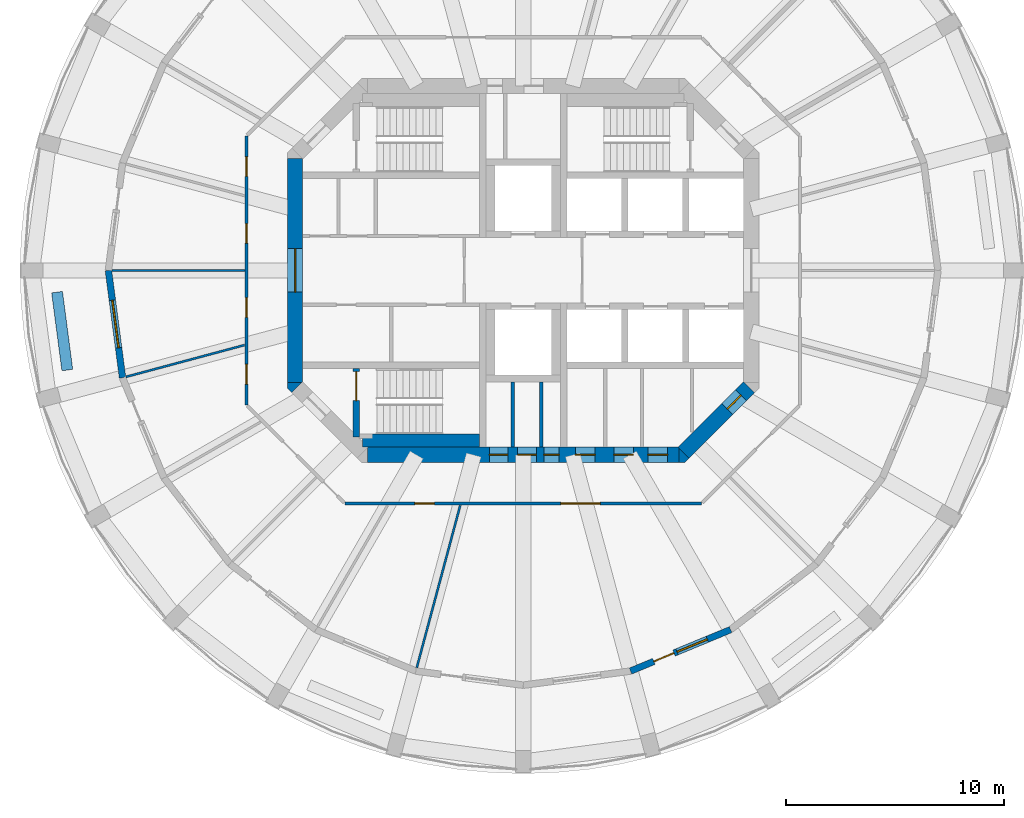
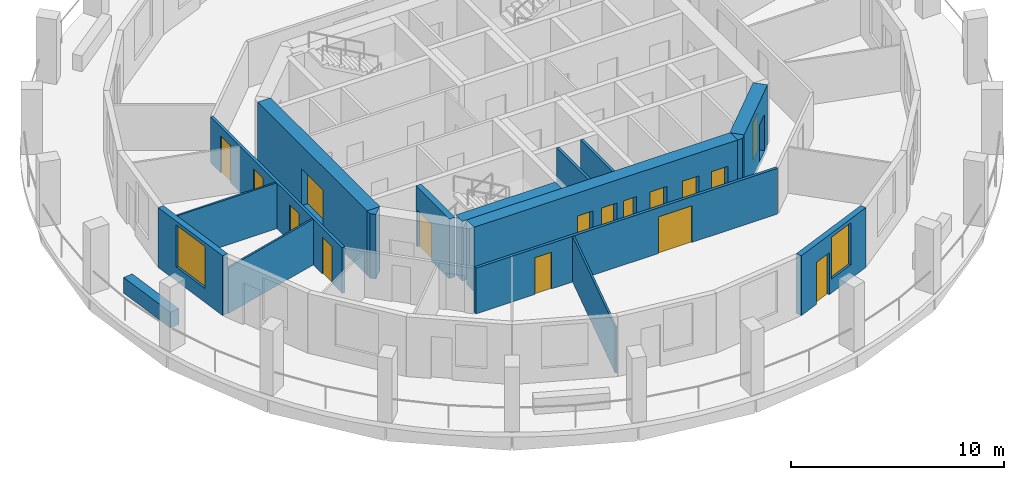
# One storey, part 3 of 9: 17 walls, 16 doors, 2 windows, 18 openings.
"""IFC4 building model written with IfcOpenShell, lengths in metres."""

import ifcopenshell
import ifcopenshell.guid

model = None  # the IFC model being written
_history = None  # IfcOwnerHistory: only IFC2X3 demands one
_inside = {}  # id of a spatial element -> (the spatial element, [elements in it])
_under = {}  # id of a project, library or spatial element -> (it, [spatial elements below it])
_declared = {}  # id of a project -> (the project, [libraries it declares])
_typed = {}  # id of a type object -> (the type object, [elements of that type])
_made_of = {}  # id of a material, layer set ... -> (it, [elements and type objects made of it])


def new_model(schema):
    """Start an empty IFC model of exactly this schema.

    Asked for "IFC4X3", IfcOpenShell would pick the latest addendum, in which some entities
    have other attributes; the version numbers below select the first issue.
    IFC2X3 requires an IfcOwnerHistory on every rooted entity: one is made here for all.
    """
    global model, _history
    if schema == "IFC4X3":
        model = ifcopenshell.file(schema_version=(4, 3, 0, 0))
    else:
        model = ifcopenshell.file(schema=schema)
    _inside.clear()
    _under.clear()
    _declared.clear()
    _typed.clear()
    _made_of.clear()
    _history = None
    if model.schema == "IFC2X3":
        org = make("IfcOrganization", Name="unknown")
        user = make(
            "IfcPersonAndOrganization",
            ThePerson=make("IfcPerson", FamilyName="unknown"),
            TheOrganization=org,
        )
        app = make(
            "IfcApplication",
            ApplicationDeveloper=org,
            Version="unknown",
            ApplicationFullName="unknown",
            ApplicationIdentifier="unknown",
        )
        _history = make(
            "IfcOwnerHistory",
            OwningUser=user,
            OwningApplication=app,
            ChangeAction="ADDED",
            CreationDate=0,
        )
    return model


def make(cls, **values):
    """One entity of the class cls with the attributes given. An attribute that is None is left unset."""
    return model.create_entity(
        cls, **{name: value for name, value in values.items() if value is not None}
    )


def rooted(cls, **values):
    """An entity with a GlobalId (a new one), such as an element, a storey or a relation."""
    return make(cls, GlobalId=ifcopenshell.guid.new(), OwnerHistory=_history, **values)


def si_unit(unit_type, name, prefix=None):
    """IfcSIUnit, for example si_unit("LENGTHUNIT", "METRE", prefix="MILLI")."""
    return make("IfcSIUnit", UnitType=unit_type, Prefix=prefix, Name=name)


def assignment(units):
    """IfcUnitAssignment: the units of a project."""
    return None if units is None else make("IfcUnitAssignment", Units=units)


def point(xyz):
    """IfcCartesianPoint."""
    return None if xyz is None else make("IfcCartesianPoint", Coordinates=xyz)


def direction(xyz):
    """IfcDirection."""
    return None if xyz is None else make("IfcDirection", DirectionRatios=xyz)


def frame(location, z_axis=None, x_axis=None):
    """IfcAxis2Placement3D, a coordinate frame: its origin and axes. An axis left out is left unset."""
    return make(
        "IfcAxis2Placement3D",
        Location=point(location),
        Axis=direction(z_axis),
        RefDirection=direction(x_axis),
    )


def frame_2d(location, x_axis=None):
    """IfcAxis2Placement2D, a coordinate frame in the plane: its origin and x axis."""
    return make(
        "IfcAxis2Placement2D", Location=point(location), RefDirection=direction(x_axis)
    )


def origin():
    """The frame at (0, 0, 0) with its axes left unset."""
    return frame((0.0, 0.0, 0.0))


def place(relative_to, where):
    """IfcLocalPlacement: puts the frame where relative to a parent placement (None: the world)."""
    return make(
        "IfcLocalPlacement", PlacementRelTo=relative_to, RelativePlacement=where
    )


def context(
    kind, dimensions, precision=None, world=None, true_north=None, identifier=None
):
    """IfcGeometricRepresentationContext, for example the 3D "Model" context."""
    return make(
        "IfcGeometricRepresentationContext",
        ContextIdentifier=identifier,
        ContextType=kind,
        CoordinateSpaceDimension=dimensions,
        Precision=precision,
        WorldCoordinateSystem=world,
        TrueNorth=true_north,
    )


def subcontext(parent, identifier, kind, view, scale=None):
    """IfcGeometricRepresentationSubContext, for example "Body" below "Model"."""
    return make(
        "IfcGeometricRepresentationSubContext",
        ContextIdentifier=identifier,
        ContextType=kind,
        ParentContext=parent,
        TargetScale=scale,
        TargetView=view,
    )


def project(units=None, contexts=None):
    """IfcProject with its units and contexts."""
    return rooted(
        "IfcProject",
        Name="project",
        RepresentationContexts=contexts,
        UnitsInContext=assignment(units),
    )


def spatial(cls, under=None, at=None, **own):
    """A site, building, storey or space (cls), placed at a placement, below another one or the project."""
    s = rooted(cls, ObjectPlacement=at, **own)
    if under is not None:
        _under.setdefault(under.id(), (under, []))[1].append(s)
    return s


def polyline(points):
    """IfcPolyline through the points."""
    return make("IfcPolyline", Points=[point(p) for p in points])


def profile(cls, at=None, kind="AREA", **sizes):
    """A parametric profile (cls). Its sizes go by their IFC names, for example OverallWidth=200.0."""
    return make(cls, ProfileType=kind, Position=at, **sizes)


def rectangle(**sizes):
    """IfcRectangleProfileDef."""
    return profile("IfcRectangleProfileDef", **sizes)


def outline(outer, holes=None, kind="AREA"):
    """IfcArbitraryClosedProfileDef: a profile drawn as a closed curve; with holes, ...WithVoids."""
    if holes is None:
        return make("IfcArbitraryClosedProfileDef", ProfileType=kind, OuterCurve=outer)
    return make(
        "IfcArbitraryProfileDefWithVoids",
        ProfileType=kind,
        OuterCurve=outer,
        InnerCurves=holes,
    )


def extrude(swept, where, along, depth):
    """IfcExtrudedAreaSolid: the profile swept, set in the frame where, extruded along a direction by depth."""
    return make(
        "IfcExtrudedAreaSolid",
        SweptArea=swept,
        Position=where,
        ExtrudedDirection=direction(along),
        Depth=depth,
    )


def shape(context_of_items, identifier, shape_type, items):
    """IfcShapeRepresentation: the items that make up one representation, for example the "Body"."""
    return make(
        "IfcShapeRepresentation",
        ContextOfItems=context_of_items,
        RepresentationIdentifier=identifier,
        RepresentationType=shape_type,
        Items=items,
    )


def material(Name=None, Category=None):
    """IfcMaterial."""
    return make("IfcMaterial", Name=Name, Category=Category)


def layer(
    of_material, thickness, ventilated=None, Name=None, Category=None, Priority=None
):
    """IfcMaterialLayer: one layer of a wall or slab, of a material (None: an air gap)."""
    return make(
        "IfcMaterialLayer",
        Material=of_material,
        LayerThickness=thickness,
        IsVentilated=ventilated,
        Name=Name,
        Category=Category,
        Priority=Priority,
    )


def layer_set(layers, Name=None):
    """IfcMaterialLayerSet."""
    return make("IfcMaterialLayerSet", MaterialLayers=layers, LayerSetName=Name)


def made_of(thing, what):
    """Note that an element or type object is made of a material, layer set ...; save() writes the relation."""
    if what is not None:
        _made_of.setdefault(what.id(), (what, []))[1].append(thing)
    return thing


def type_object(cls, material=None, **own):
    """A type object (cls), such as IfcWallType, which elements share."""
    return made_of(rooted(cls, **own), material)


def element(
    cls,
    number,
    at=None,
    inside=None,
    cuts=None,
    type_object=None,
    material=None,
    context=None,
    identifier="Body",
    shape_type=None,
    held_by="IfcProductDefinitionShape",
    body=None,
    shapes=None,
    **own,
):
    """One element of the class cls, such as IfcWall. Its Tag is "e" and its number.

    at: its placement. inside: the storey or other place that contains it. cuts: it is an
    opening in that element (IfcRelVoidsElement). A single representation is given by context,
    identifier, shape_type and body (its items); several are given by shapes. held_by: the class
    of the entity that holds the representations. save() writes the other relations.
    """
    e = rooted(cls, Tag="e%d" % number, ObjectPlacement=at, **own)
    if body is not None:
        shapes = [shape(context, identifier, shape_type, body)]
    if shapes is not None:
        e.Representation = make(held_by, Representations=shapes)
    if inside is not None:
        _inside.setdefault(inside.id(), (inside, []))[1].append(e)
    if cuts is not None:
        rooted(
            "IfcRelVoidsElement", RelatingBuildingElement=cuts, RelatedOpeningElement=e
        )
    if type_object is not None:
        _typed.setdefault(type_object.id(), (type_object, []))[1].append(e)
    return made_of(e, material)


def fill(opening, filler):
    """IfcRelFillsElement: the door or window that sits in an opening."""
    return rooted(
        "IfcRelFillsElement",
        RelatingOpeningElement=opening,
        RelatedBuildingElement=filler,
    )


def aggregate(whole, parts):
    """IfcRelAggregates: a whole, such as a stair, and the parts it consists of."""
    return rooted("IfcRelAggregates", RelatingObject=whole, RelatedObjects=parts)


def save(model, path):
    """Write the relations noted so far, then the file.

    IfcRelAggregates (storeys below a building ...), IfcRelContainedInSpatialStructure (elements
    in a storey), IfcRelDefinesByType, IfcRelAssociatesMaterial and IfcRelDeclares: one each for
    every whole, place, type object, material and project.
    """
    for whole, parts in _under.values():
        aggregate(whole, parts)
    for where, things in _inside.values():
        rooted(
            "IfcRelContainedInSpatialStructure",
            RelatedElements=things,
            RelatingStructure=where,
        )
    for kind, things in _typed.values():
        rooted("IfcRelDefinesByType", RelatedObjects=things, RelatingType=kind)
    for what, things in _made_of.values():
        rooted("IfcRelAssociatesMaterial", RelatedObjects=things, RelatingMaterial=what)
    for by, libraries in _declared.values():
        rooted("IfcRelDeclares", RelatingContext=by, RelatedDefinitions=libraries)
    model.write(path)


model = new_model("IFC4")

# Units and contexts
model_context = context("Model", 3, precision=1e-05, world=origin(), true_north=direction((0.0, 1.0)))
body_context = subcontext(model_context, "Body", "Model", "MODEL_VIEW")
ifc_project = project(units=[si_unit("LENGTHUNIT", "METRE"), si_unit("AREAUNIT", "SQUARE_METRE"), si_unit("VOLUMEUNIT", "CUBIC_METRE"), si_unit("PLANEANGLEUNIT", "RADIAN"), si_unit("MASSUNIT", "GRAM", prefix="KILO")], contexts=[model_context])

# Site, building, storey
site_placement = place(None, origin())
site = spatial("IfcSite", under=ifc_project, at=site_placement, CompositionType="ELEMENT")
building_placement = place(site_placement, origin())
building = spatial("IfcBuilding", under=site, at=building_placement, Name="Torre Triforio", CompositionType="ELEMENT")
storey_placement = place(building_placement, frame((0.0, 0.0, 169.0)))
storey = spatial("IfcBuildingStorey", under=building, at=storey_placement, Name="L38", CompositionType="ELEMENT", Elevation=169.0)

# Wall, openings, doors
ifc_material_1 = material(Name="Concrete C50", Category="concrete")
ifc_layer_1 = layer(ifc_material_1, 0.699951171875)
ifc_layer_set_1 = layer_set([ifc_layer_1], Name="Concrete C50")
wall_type_1 = type_object("IfcWallType", Name="Core wall 700 mm C50 EI 120", PredefinedType="SHEAR", material=ifc_layer_set_1)
wall_1_placement = place(storey_placement, frame((-7.1298828125, -8.449951171875, -0.280029296875), z_axis=(0.0, 0.0, 1.0), x_axis=(1.0, 0.0, 0.0)))
wall_1 = element("IfcWall", 1, at=wall_1_placement, inside=storey, type_object=wall_type_1, Name="Core wall", PredefinedType="SHEAR", context=body_context, shape_type="SweptSolid", body=[
    extrude(rectangle(XDim=14.259765625, YDim=0.699951171875, at=frame_2d((7.1298828125, 0.0))), origin(), (0.0, 0.0, 1.0), 3.699951171875),
])
opening_1_placement = place(wall_1_placement, frame((8.080078125, 0.0, 0.280029296875)))
opening_1 = element("IfcOpeningElement", 2, at=opening_1_placement, cuts=wall_1, Name="Opening RISER-S", PredefinedType="OPENING", context=body_context, shape_type="SweptSolid", body=[
    extrude(rectangle(XDim=0.699951171875, YDim=2.10009765625, at=frame_2d((0.35009765625, 1.050048828125))), frame((0.0, 0.35986328125, 0.0), z_axis=(0.0, -1.0, 0.0), x_axis=(1.0, 0.0, 0.0)), (0.0, 0.0, 1.0), 0.719970703125),
])
opening_2_placement = place(wall_1_placement, frame((5.580078125, 0.0, 0.280029296875)))
opening_2 = element("IfcOpeningElement", 3, at=opening_2_placement, cuts=wall_1, Name="Opening SW-01A", PredefinedType="OPENING", context=body_context, shape_type="SweptSolid", body=[
    extrude(rectangle(XDim=0.85009765625, YDim=2.10009765625, at=frame_2d((0.425048828125, 1.050048828125))), frame((0.0, 0.35986328125, 0.0), z_axis=(0.0, -1.0, 0.0), x_axis=(1.0, 0.0, 0.0)), (0.0, 0.0, 1.0), 0.719970703125),
])
opening_3_placement = place(wall_1_placement, frame((6.8798828125, 0.0, 0.280029296875)))
opening_3 = element("IfcOpeningElement", 4, at=opening_3_placement, cuts=wall_1, Name="Opening SW-02", PredefinedType="OPENING", context=body_context, shape_type="SweptSolid", body=[
    extrude(rectangle(XDim=0.85009765625, YDim=2.10009765625, at=frame_2d((0.425048828125, 1.050048828125))), frame((0.0, 0.35986328125, 0.0), z_axis=(0.0, -1.0, 0.0), x_axis=(1.0, 0.0, 0.0)), (0.0, 0.0, 1.0), 0.719970703125),
])
opening_4_placement = place(wall_1_placement, frame((9.521484375, 0.0, 0.280029296875)))
opening_4 = element("IfcOpeningElement", 5, at=opening_4_placement, cuts=wall_1, Name="Opening SE-01", PredefinedType="OPENING", context=body_context, shape_type="SweptSolid", body=[
    extrude(rectangle(XDim=0.89990234375, YDim=2.10009765625, at=frame_2d((0.449951171875, 1.050048828125))), frame((0.0, 0.35986328125, 0.0), z_axis=(0.0, -1.0, 0.0), x_axis=(1.0, 0.0, 0.0)), (0.0, 0.0, 1.0), 0.719970703125),
])
opening_5_placement = place(wall_1_placement, frame((11.278076171875, 0.0, 0.280029296875)))
opening_5 = element("IfcOpeningElement", 6, at=opening_5_placement, cuts=wall_1, Name="Opening SE-02", PredefinedType="OPENING", context=body_context, shape_type="SweptSolid", body=[
    extrude(rectangle(XDim=0.89990234375, YDim=2.10009765625, at=frame_2d((0.449951171875, 1.050048828125))), frame((0.0, 0.35986328125, 0.0), z_axis=(0.0, -1.0, 0.0), x_axis=(1.0, 0.0, 0.0)), (0.0, 0.0, 1.0), 0.719970703125),
])
opening_6_placement = place(wall_1_placement, frame((12.840087890625, 0.0, 0.280029296875)))
opening_6 = element("IfcOpeningElement", 7, at=opening_6_placement, cuts=wall_1, Name="Opening SE-03", PredefinedType="OPENING", context=body_context, shape_type="SweptSolid", body=[
    extrude(rectangle(XDim=0.89990234375, YDim=2.10009765625, at=frame_2d((0.449951171875, 1.050048828125))), frame((0.0, 0.35986328125, 0.0), z_axis=(0.0, -1.0, 0.0), x_axis=(1.0, 0.0, 0.0)), (0.0, 0.0, 1.0), 0.719970703125),
])
ifc_material_2 = material(Name="Hollow metal fire door leaf")
door_type_1 = type_object("IfcDoorType", Name="Plant room door 900 x 2100 EI 60", OperationType="NOTDEFINED", PredefinedType="DOOR", material=ifc_material_2)
door_1_placement = place(opening_4_placement, origin())
door_1 = element("IfcDoor", 8, at=door_1_placement, inside=storey, type_object=door_type_1, Name="Core door SE-01", OperationType="SINGLE_SWING_LEFT", OverallHeight=2.10009765625, OverallWidth=0.89990234375, PredefinedType="DOOR", context=body_context, shape_type="SweptSolid", body=[
    extrude(rectangle(XDim=0.89990234375, YDim=2.10009765625, at=frame_2d((0.449951171875, 1.050048828125))), frame((0.0, 0.02490234375, 0.0), z_axis=(0.0, -1.0, 0.0), x_axis=(1.0, 0.0, 0.0)), (0.0, 0.0, 1.0), 0.050048828125),
])
fill(opening_4, door_1)
door_type_2 = type_object("IfcDoorType", Name="Riser door 700 x 2100 EI 60", OperationType="NOTDEFINED", PredefinedType="DOOR", material=ifc_material_2)
door_2_placement = place(opening_1_placement, origin())
door_2 = element("IfcDoor", 9, at=door_2_placement, inside=storey, type_object=door_type_2, Name="Core door RISER-S", OperationType="SINGLE_SWING_RIGHT", OverallHeight=2.10009765625, OverallWidth=0.699951171875, PredefinedType="DOOR", context=body_context, shape_type="SweptSolid", body=[
    extrude(rectangle(XDim=0.699951171875, YDim=2.10009765625, at=frame_2d((0.35009765625, 1.050048828125))), frame((0.0, 0.02490234375, 0.0), z_axis=(0.0, -1.0, 0.0), x_axis=(1.0, 0.0, 0.0)), (0.0, 0.0, 1.0), 0.050048828125),
])
fill(opening_1, door_2)
door_type_3 = type_object("IfcDoorType", Name="Room door 850 x 2100 EI 60", OperationType="NOTDEFINED", PredefinedType="DOOR", material=ifc_material_2)
door_3_placement = place(opening_2_placement, origin())
door_3 = element("IfcDoor", 10, at=door_3_placement, inside=storey, type_object=door_type_3, Name="Core door SW-01", OperationType="SINGLE_SWING_RIGHT", OverallHeight=2.10009765625, OverallWidth=0.85009765625, PredefinedType="DOOR", context=body_context, shape_type="SweptSolid", body=[
    extrude(rectangle(XDim=0.85009765625, YDim=2.10009765625, at=frame_2d((0.425048828125, 1.050048828125))), frame((0.0, 0.02490234375, 0.0), z_axis=(0.0, -1.0, 0.0), x_axis=(1.0, 0.0, 0.0)), (0.0, 0.0, 1.0), 0.050048828125),
])
fill(opening_2, door_3)
door_4_placement = place(opening_3_placement, origin())
door_4 = element("IfcDoor", 11, at=door_4_placement, inside=storey, type_object=door_type_3, Name="Core door SW-02", OperationType="SINGLE_SWING_LEFT", OverallHeight=2.10009765625, OverallWidth=0.85009765625, PredefinedType="DOOR", context=body_context, shape_type="SweptSolid", body=[
    extrude(rectangle(XDim=0.85009765625, YDim=2.10009765625, at=frame_2d((0.425048828125, 1.050048828125))), frame((0.0, 0.02490234375, 0.0), z_axis=(0.0, -1.0, 0.0), x_axis=(1.0, 0.0, 0.0)), (0.0, 0.0, 1.0), 0.050048828125),
])
fill(opening_3, door_4)
door_type_4 = type_object("IfcDoorType", Name="Room door 900 x 2100 EI 60", OperationType="NOTDEFINED", PredefinedType="DOOR", material=ifc_material_2)
door_5_placement = place(opening_5_placement, origin())
door_5 = element("IfcDoor", 12, at=door_5_placement, inside=storey, type_object=door_type_4, Name="Core door SE-02", OperationType="SINGLE_SWING_LEFT", OverallHeight=2.10009765625, OverallWidth=0.89990234375, PredefinedType="DOOR", context=body_context, shape_type="SweptSolid", body=[
    extrude(rectangle(XDim=0.89990234375, YDim=2.10009765625, at=frame_2d((0.449951171875, 1.050048828125))), frame((0.0, 0.02490234375, 0.0), z_axis=(0.0, -1.0, 0.0), x_axis=(1.0, 0.0, 0.0)), (0.0, 0.0, 1.0), 0.050048828125),
])
fill(opening_5, door_5)
door_6_placement = place(opening_6_placement, origin())
door_6 = element("IfcDoor", 13, at=door_6_placement, inside=storey, type_object=door_type_4, Name="Core door SE-03", OperationType="SINGLE_SWING_LEFT", OverallHeight=2.10009765625, OverallWidth=0.89990234375, PredefinedType="DOOR", context=body_context, shape_type="SweptSolid", body=[
    extrude(rectangle(XDim=0.89990234375, YDim=2.10009765625, at=frame_2d((0.449951171875, 1.050048828125))), frame((0.0, 0.02490234375, 0.0), z_axis=(0.0, -1.0, 0.0), x_axis=(1.0, 0.0, 0.0)), (0.0, 0.0, 1.0), 0.050048828125),
])
fill(opening_6, door_6)

# Wall, opening, door
wall_2_placement = place(storey_placement, frame((-10.449951171875, -5.1298828125, -0.280029296875), z_axis=(0.0, 0.0, 1.0), x_axis=(0.0, 1.0, 0.0)))
wall_2 = element("IfcWall", 14, at=wall_2_placement, inside=storey, type_object=wall_type_1, Name="Core wall", PredefinedType="SHEAR", context=body_context, shape_type="SweptSolid", body=[
    extrude(rectangle(XDim=10.259765625, YDim=0.699951171875, at=frame_2d((5.1298828125, 0.0))), origin(), (0.0, 0.0, 1.0), 3.699951171875),
])
opening_7_placement = place(wall_2_placement, frame((4.1298828125, 0.0, 0.280029296875)))
opening_7 = element("IfcOpeningElement", 15, at=opening_7_placement, cuts=wall_2, Name="Opening W-RING", PredefinedType="OPENING", context=body_context, shape_type="SweptSolid", body=[
    extrude(rectangle(XDim=2.0, YDim=2.10009765625, at=frame_2d((1.0, 1.050048828125))), frame((0.0, 0.35986328125, 0.0), z_axis=(0.0, -1.0, 0.0), x_axis=(1.0, 0.0, 0.0)), (0.0, 0.0, 1.0), 0.719970703125),
])
door_type_5 = type_object("IfcDoorType", Name="Lobby door 2000 x 2100 EI 60", OperationType="DOUBLE_DOOR_SINGLE_SWING", PredefinedType="DOOR", material=ifc_material_2)
door_7_placement = place(opening_7_placement, origin())
door_7 = element("IfcDoor", 16, at=door_7_placement, inside=storey, type_object=door_type_5, Name="Core door W-RING", OperationType="DOUBLE_DOOR_SINGLE_SWING", OverallHeight=2.10009765625, OverallWidth=2.0, PredefinedType="DOOR", context=body_context, shape_type="SweptSolid", body=[
    extrude(rectangle(XDim=2.0, YDim=2.10009765625, at=frame_2d((1.0, 1.050048828125))), frame((0.0, 0.02490234375, 0.0), z_axis=(0.0, -1.0, 0.0), x_axis=(1.0, 0.0, 0.0)), (0.0, 0.0, 1.0), 0.050048828125),
])
fill(opening_7, door_7)

wall_3_placement = place(storey_placement, frame((10.347412109375, -5.347412109375, -0.280029296875), z_axis=(0.0, 0.0, 1.0), x_axis=(-0.707106781187, -0.707106781187, 0.0)))
wall_3 = element("IfcWall", 17, at=wall_3_placement, inside=storey, type_object=wall_type_1, Name="Core wall", PredefinedType="SHEAR", context=body_context, shape_type="SweptSolid", body=[
    extrude(rectangle(XDim=4.24267578125, YDim=0.699951171875, at=frame_2d((2.121337890625, 0.0))), origin(), (0.0, 0.0, 1.0), 3.699951171875),
])
opening_8_placement = place(wall_3_placement, frame((0.52001953125, 0.0, 0.280029296875)))
opening_8 = element("IfcOpeningElement", 18, at=opening_8_placement, cuts=wall_3, Name="Opening SE-04", PredefinedType="OPENING", context=body_context, shape_type="SweptSolid", body=[
    extrude(rectangle(XDim=0.89990234375, YDim=2.10009765625, at=frame_2d((0.449951171875, 1.050048828125))), frame((0.0, 0.35986328125, 0.0), z_axis=(0.0, -1.0, 0.0), x_axis=(1.0, 0.0, 0.0)), (0.0, 0.0, 1.0), 0.719970703125),
])
door_8_placement = place(opening_8_placement, origin())
door_8 = element("IfcDoor", 19, at=door_8_placement, inside=storey, type_object=door_type_4, Name="Core door SE-04", OperationType="SINGLE_SWING_RIGHT", OverallHeight=2.10009765625, OverallWidth=0.89990234375, PredefinedType="DOOR", context=body_context, shape_type="SweptSolid", body=[
    extrude(rectangle(XDim=0.89990234375, YDim=2.10009765625, at=frame_2d((0.449951171875, 1.050048828125))), frame((0.0, 0.02490234375, 0.0), z_axis=(0.0, -1.0, 0.0), x_axis=(1.0, 0.0, 0.0)), (0.0, 0.0, 1.0), 0.050048828125),
])
fill(opening_8, door_8)

# Walls
wall_4_placement = place(storey_placement, frame((0.0, 0.0, -0.280029296875)))
element("IfcWall", 20, at=wall_4_placement, inside=storey, type_object=wall_type_1, Name="Core wall", PredefinedType="SHEAR", context=body_context, shape_type="SweptSolid", body=[
    extrude(outline(polyline([(7.389892578125, -8.800048828125), (7.1298828125, -8.800048828125), (7.1298828125, -8.800048828125), (7.1298828125, -8.1298828125), (7.594970703125, -8.594970703125), (7.594970703125, -8.594970703125), (7.594970703125, -8.594970703125), (7.389892578125, -8.800048828125)])), origin(), (0.0, 0.0, 1.0), 3.699951171875),
])
wall_5_placement = place(storey_placement, frame((0.0, 0.0, -0.280029296875)))
element("IfcWall", 21, at=wall_5_placement, inside=storey, type_object=wall_type_1, Name="Core wall", PredefinedType="SHEAR", context=body_context, shape_type="SweptSolid", body=[
    extrude(outline(polyline([(-10.800048828125, -5.389892578125), (-10.800048828125, -5.1298828125), (-10.800048828125, -5.1298828125), (-10.1298828125, -5.1298828125), (-10.594970703125, -5.594970703125), (-10.594970703125, -5.594970703125), (-10.594970703125, -5.594970703125), (-10.800048828125, -5.389892578125)])), origin(), (0.0, 0.0, 1.0), 3.699951171875),
])

# Wall, openings, doors
ifc_material_3 = material(Name="Plasterboard on metal studs")
ifc_layer_2 = layer(ifc_material_3, 0.14990234375)
ifc_layer_set_2 = layer_set([ifc_layer_2], Name="Plasterboard on metal studs")
wall_type_2 = type_object("IfcWallType", Name="Corridor and tenancy wall 150 mm EI 60", PredefinedType="PARTITIONING", material=ifc_layer_set_2)
wall_6_placement = place(storey_placement, frame((8.16650390625, -10.675048828125, 0.0), z_axis=(0.0, 0.0, 1.0), x_axis=(-1.0, 0.0, 0.0)))
wall_6 = element("IfcWall", 22, at=wall_6_placement, inside=storey, type_object=wall_type_2, Name="Partition 2", PredefinedType="PARTITIONING", context=body_context, shape_type="SweptSolid", body=[
    extrude(rectangle(XDim=16.3330078125, YDim=0.14990234375, at=frame_2d((8.16650390625, 0.0))), origin(), (0.0, 0.0, 1.0), 2.6201171875),
])
opening_9_placement = place(wall_6_placement, frame((12.232421875, 0.0, 0.0)))
opening_9 = element("IfcOpeningElement", 23, at=opening_9_placement, cuts=wall_6, Name="Opening O2-08", PredefinedType="OPENING", context=body_context, shape_type="SweptSolid", body=[
    extrude(rectangle(XDim=0.89990234375, YDim=2.10009765625, at=frame_2d((0.449951171875, 1.050048828125))), frame((0.0, 0.0849609375, 0.0), z_axis=(0.0, -1.0, 0.0), x_axis=(1.0, 0.0, 0.0)), (0.0, 0.0, 1.0), 0.169921875),
])
opening_10_placement = place(wall_6_placement, frame((4.639404296875, 0.0, 0.0)))
opening_10 = element("IfcOpeningElement", 24, at=opening_10_placement, cuts=wall_6, Name="Opening O2-09", PredefinedType="OPENING", context=body_context, shape_type="SweptSolid", body=[
    extrude(rectangle(XDim=1.800048828125, YDim=2.10009765625, at=frame_2d((0.89990234375, 1.050048828125))), frame((0.0, 0.0849609375, 0.0), z_axis=(0.0, -1.0, 0.0), x_axis=(1.0, 0.0, 0.0)), (0.0, 0.0, 1.0), 0.169921875),
])
ifc_material_4 = material(Name="Timber", Category="wood")
door_type_6 = type_object("IfcDoorType", Name="Door 1800 x 2100 double leaf EI 30", OperationType="DOUBLE_DOOR_SINGLE_SWING", PredefinedType="DOOR", material=ifc_material_4)
door_9_placement = place(opening_10_placement, origin())
door_9 = element("IfcDoor", 25, at=door_9_placement, inside=storey, type_object=door_type_6, Name="Door O2-09", OperationType="DOUBLE_DOOR_SINGLE_SWING", OverallHeight=2.10009765625, OverallWidth=1.800048828125, PredefinedType="DOOR", context=body_context, shape_type="SweptSolid", body=[
    extrude(rectangle(XDim=1.800048828125, YDim=2.10009765625, at=frame_2d((0.89990234375, 1.050048828125))), frame((0.0, 0.02490234375, 0.0), z_axis=(0.0, -1.0, 0.0), x_axis=(1.0, 0.0, 0.0)), (0.0, 0.0, 1.0), 0.050048828125),
])
fill(opening_10, door_9)
door_type_7 = type_object("IfcDoorType", Name="Door 900 x 2100 single leaf EI 30", OperationType="NOTDEFINED", PredefinedType="DOOR", material=ifc_material_4)
door_10_placement = place(opening_9_placement, origin())
door_10 = element("IfcDoor", 26, at=door_10_placement, inside=storey, type_object=door_type_7, Name="Door O2-08", OperationType="SINGLE_SWING_LEFT", OverallHeight=2.10009765625, OverallWidth=0.89990234375, PredefinedType="DOOR", context=body_context, shape_type="SweptSolid", body=[
    extrude(rectangle(XDim=0.89990234375, YDim=2.10009765625, at=frame_2d((0.449951171875, 1.050048828125))), frame((0.0, 0.02490234375, 0.0), z_axis=(0.0, -1.0, 0.0), x_axis=(1.0, 0.0, 0.0)), (0.0, 0.0, 1.0), 0.050048828125),
])
fill(opening_9, door_10)

wall_7_placement = place(storey_placement, frame((-12.675048828125, -6.16650390625, 0.0), z_axis=(0.0, 0.0, 1.0), x_axis=(0.0, 1.0, 0.0)))
wall_7 = element("IfcWall", 27, at=wall_7_placement, inside=storey, type_object=wall_type_2, Name="Partition 4", PredefinedType="PARTITIONING", context=body_context, shape_type="SweptSolid", body=[
    extrude(rectangle(XDim=12.3330078125, YDim=0.14990234375, at=frame_2d((6.16650390625, 0.0))), origin(), (0.0, 0.0, 1.0), 2.6201171875),
])
opening_11_placement = place(wall_7_placement, frame((10.47314453125, 0.0, 0.0)))
opening_11 = element("IfcOpeningElement", 28, at=opening_11_placement, cuts=wall_7, Name="Opening O2-02", PredefinedType="OPENING", context=body_context, shape_type="SweptSolid", body=[
    extrude(rectangle(XDim=0.89990234375, YDim=2.10009765625, at=frame_2d((0.449951171875, 1.050048828125))), frame((0.0, 0.0849609375, 0.0), z_axis=(0.0, -1.0, 0.0), x_axis=(1.0, 0.0, 0.0)), (0.0, 0.0, 1.0), 0.169921875),
])
opening_12_placement = place(wall_7_placement, frame((7.41552734375, 0.0, 0.0)))
opening_12 = element("IfcOpeningElement", 29, at=opening_12_placement, cuts=wall_7, Name="Opening O2-03", PredefinedType="OPENING", context=body_context, shape_type="SweptSolid", body=[
    extrude(rectangle(XDim=0.89990234375, YDim=2.10009765625, at=frame_2d((0.449951171875, 1.050048828125))), frame((0.0, 0.0849609375, 0.0), z_axis=(0.0, -1.0, 0.0), x_axis=(1.0, 0.0, 0.0)), (0.0, 0.0, 1.0), 0.169921875),
])
opening_13_placement = place(wall_7_placement, frame((4.017578125, 0.0, 0.0)))
opening_13 = element("IfcOpeningElement", 30, at=opening_13_placement, cuts=wall_7, Name="Opening O2-04", PredefinedType="OPENING", context=body_context, shape_type="SweptSolid", body=[
    extrude(rectangle(XDim=0.89990234375, YDim=2.10009765625, at=frame_2d((0.449951171875, 1.050048828125))), frame((0.0, 0.0849609375, 0.0), z_axis=(0.0, -1.0, 0.0), x_axis=(1.0, 0.0, 0.0)), (0.0, 0.0, 1.0), 0.169921875),
])
opening_14_placement = place(wall_7_placement, frame((0.960205078125, 0.0, 0.0)))
opening_14 = element("IfcOpeningElement", 31, at=opening_14_placement, cuts=wall_7, Name="Opening O2-05", PredefinedType="OPENING", context=body_context, shape_type="SweptSolid", body=[
    extrude(rectangle(XDim=0.89990234375, YDim=2.10009765625, at=frame_2d((0.449951171875, 1.050048828125))), frame((0.0, 0.0849609375, 0.0), z_axis=(0.0, -1.0, 0.0), x_axis=(1.0, 0.0, 0.0)), (0.0, 0.0, 1.0), 0.169921875),
])
door_11_placement = place(opening_11_placement, origin())
door_11 = element("IfcDoor", 32, at=door_11_placement, inside=storey, type_object=door_type_7, Name="Door O2-02", OperationType="SINGLE_SWING_LEFT", OverallHeight=2.10009765625, OverallWidth=0.89990234375, PredefinedType="DOOR", context=body_context, shape_type="SweptSolid", body=[
    extrude(rectangle(XDim=0.89990234375, YDim=2.10009765625, at=frame_2d((0.449951171875, 1.050048828125))), frame((0.0, 0.02490234375, 0.0), z_axis=(0.0, -1.0, 0.0), x_axis=(1.0, 0.0, 0.0)), (0.0, 0.0, 1.0), 0.050048828125),
])
fill(opening_11, door_11)
door_12_placement = place(opening_12_placement, origin())
door_12 = element("IfcDoor", 33, at=door_12_placement, inside=storey, type_object=door_type_7, Name="Door O2-03", OperationType="SINGLE_SWING_LEFT", OverallHeight=2.10009765625, OverallWidth=0.89990234375, PredefinedType="DOOR", context=body_context, shape_type="SweptSolid", body=[
    extrude(rectangle(XDim=0.89990234375, YDim=2.10009765625, at=frame_2d((0.449951171875, 1.050048828125))), frame((0.0, 0.02490234375, 0.0), z_axis=(0.0, -1.0, 0.0), x_axis=(1.0, 0.0, 0.0)), (0.0, 0.0, 1.0), 0.050048828125),
])
fill(opening_12, door_12)
door_13_placement = place(opening_13_placement, origin())
door_13 = element("IfcDoor", 34, at=door_13_placement, inside=storey, type_object=door_type_7, Name="Door O2-04", OperationType="SINGLE_SWING_LEFT", OverallHeight=2.10009765625, OverallWidth=0.89990234375, PredefinedType="DOOR", context=body_context, shape_type="SweptSolid", body=[
    extrude(rectangle(XDim=0.89990234375, YDim=2.10009765625, at=frame_2d((0.449951171875, 1.050048828125))), frame((0.0, 0.02490234375, 0.0), z_axis=(0.0, -1.0, 0.0), x_axis=(1.0, 0.0, 0.0)), (0.0, 0.0, 1.0), 0.050048828125),
])
fill(opening_13, door_13)
door_14_placement = place(opening_14_placement, origin())
door_14 = element("IfcDoor", 35, at=door_14_placement, inside=storey, type_object=door_type_7, Name="Door O2-05", OperationType="SINGLE_SWING_LEFT", OverallHeight=2.10009765625, OverallWidth=0.89990234375, PredefinedType="DOOR", context=body_context, shape_type="SweptSolid", body=[
    extrude(rectangle(XDim=0.89990234375, YDim=2.10009765625, at=frame_2d((0.449951171875, 1.050048828125))), frame((0.0, 0.02490234375, 0.0), z_axis=(0.0, -1.0, 0.0), x_axis=(1.0, 0.0, 0.0)), (0.0, 0.0, 1.0), 0.050048828125),
])
fill(opening_14, door_14)

# Walls
ifc_layer_3 = layer(ifc_material_3, 0.10009765625)
ifc_layer_set_3 = layer_set([ifc_layer_3], Name="Plasterboard on metal studs")
wall_type_3 = type_object("IfcWallType", Name="Partition 100 mm board on metal studs", PredefinedType="PARTITIONING", material=ifc_layer_set_3)
wall_8_placement = place(storey_placement, frame((-12.75, 0.0, 0.0), z_axis=(0.0, 0.0, 1.0), x_axis=(-1.0, 0.0, 0.0)))
element("IfcWall", 36, at=wall_8_placement, inside=storey, type_object=wall_type_3, Name="Partition 19", PredefinedType="PARTITIONING", context=body_context, shape_type="SweptSolid", body=[
    extrude(rectangle(XDim=6.086669921875, YDim=0.10009765625, at=frame_2d((3.04345703125, 0.0))), origin(), (0.0, 0.0, 1.0), 2.6201171875),
])
wall_9_placement = place(storey_placement, frame((-12.764404296875, -3.420166015625, 0.0), z_axis=(0.0, 0.0, 1.0), x_axis=(-0.965925759926, -0.258819292773, 0.0)))
element("IfcWall", 37, at=wall_9_placement, inside=storey, type_object=wall_type_3, Name="Partition 20", PredefinedType="PARTITIONING", context=body_context, shape_type="SweptSolid", body=[
    extrude(rectangle(XDim=5.6220703125, YDim=0.10009765625, at=frame_2d((2.81103515625, 0.0))), origin(), (0.0, 0.0, 1.0), 2.6201171875),
])
wall_10_placement = place(storey_placement, frame((-2.88427734375, -10.764404296875, 0.0), z_axis=(0.0, 0.0, 1.0), x_axis=(-0.25881804804, -0.965926093451, 0.0)))
element("IfcWall", 38, at=wall_10_placement, inside=storey, type_object=wall_type_3, Name="Partition 24", PredefinedType="PARTITIONING", context=body_context, shape_type="SweptSolid", body=[
    extrude(rectangle(XDim=7.692626953125, YDim=0.10009765625, at=frame_2d((3.84619140625, 0.0))), origin(), (0.0, 0.0, 1.0), 2.6201171875),
])
ifc_material_5 = material(Name="Block and board partition")
ifc_layer_4 = layer(ifc_material_5, 0.14990234375)
ifc_layer_set_4 = layer_set([ifc_layer_4], Name="Block and board partition")
wall_type_4 = type_object("IfcWallType", Name="Partition 150 mm", PredefinedType="PARTITIONING", material=ifc_layer_set_4)
wall_11_placement = place(storey_placement, frame((-0.47509765625, -8.10009765625, 0.0), z_axis=(0.0, 0.0, 1.0), x_axis=(0.0, 1.0, 0.0)))
element("IfcWall", 39, at=wall_11_placement, inside=storey, type_object=wall_type_4, Name="Partition", PredefinedType="PARTITIONING", context=body_context, shape_type="SweptSolid", body=[
    extrude(rectangle(XDim=3.0, YDim=0.14990234375, at=frame_2d((1.5, 0.0))), origin(), (0.0, 0.0, 1.0), 3.419921875),
])
ifc_layer_5 = layer(ifc_material_5, 0.14990234375)
ifc_layer_set_5 = layer_set([ifc_layer_5], Name="Block and board partition")
wall_type_5 = type_object("IfcWallType", Name="Partition 150 mm EI 120", PredefinedType="PARTITIONING", material=ifc_layer_set_5)
wall_12_placement = place(storey_placement, frame((0.824951171875, -8.10009765625, 0.0), z_axis=(0.0, 0.0, 1.0), x_axis=(0.0, 1.0, 0.0)))
element("IfcWall", 40, at=wall_12_placement, inside=storey, type_object=wall_type_5, Name="Partition", PredefinedType="PARTITIONING", context=body_context, shape_type="SweptSolid", body=[
    extrude(rectangle(XDim=3.0, YDim=0.14990234375, at=frame_2d((1.5, 0.0))), origin(), (0.0, 0.0, 1.0), 3.419921875),
])
ifc_material_6 = material(Name="Limestone cladding", Category="masonry")
ifc_layer_6 = layer(ifc_material_6, 0.10009765625)
ifc_material_7 = material(Name="Concrete C40", Category="concrete")
ifc_layer_7 = layer(ifc_material_7, 0.39990234375)
ifc_layer_set_6 = layer_set([ifc_layer_6, ifc_layer_7], Name="Limestone cladding / Concrete C40")
wall_type_6 = type_object("IfcWallType", Name="Planter wall 500", PredefinedType="PARAPET", material=ifc_layer_set_6)
wall_13_placement = place(storey_placement, frame((-21.352783203125, -0.99560546875, 0.0), z_axis=(0.0, 0.0, 1.0), x_axis=(0.130551000099, -0.991441595039, 0.0)))
element("IfcWall", 41, at=wall_13_placement, inside=storey, type_object=wall_type_6, Name="Planter L38 bay 13", PredefinedType="PARAPET", context=body_context, shape_type="SweptSolid", body=[
    extrude(rectangle(XDim=3.599853515625, YDim=0.5, at=frame_2d((1.7998046875, 0.0))), origin(), (0.0, 0.0, 1.0), 0.89990234375),
])

# Wall, opening, door
ifc_layer_8 = layer(ifc_material_1, 0.300048828125)
ifc_layer_set_7 = layer_set([ifc_layer_8], Name="Concrete C50")
wall_type_7 = type_object("IfcWallType", Name="Stair wall 300 mm C50 EI 120", PredefinedType="SHEAR", material=ifc_layer_set_7)
wall_14_placement = place(storey_placement, frame((-7.64990234375, -7.639892578125, 0.0), z_axis=(0.0, 0.0, 1.0), x_axis=(0.0, 1.0, 0.0)))
wall_14 = element("IfcWall", 42, at=wall_14_placement, inside=storey, type_object=wall_type_7, Name="Stair wall", PredefinedType="SHEAR", context=body_context, shape_type="SweptSolid", body=[
    extrude(rectangle(XDim=3.139892578125, YDim=0.300048828125, at=frame_2d((1.56982421875, 0.0))), origin(), (0.0, 0.0, 1.0), 3.419921875),
])
opening_15_placement = place(wall_14_placement, frame((1.679931640625, 0.0, 0.0)))
opening_15 = element("IfcOpeningElement", 43, at=opening_15_placement, cuts=wall_14, Name="Opening ST3-STA", PredefinedType="OPENING", context=body_context, shape_type="SweptSolid", body=[
    extrude(rectangle(XDim=1.320068359375, YDim=2.10009765625, at=frame_2d((0.66015625, 1.050048828125))), frame((0.0, 0.159912109375, 0.0), z_axis=(0.0, -1.0, 0.0), x_axis=(1.0, 0.0, 0.0)), (0.0, 0.0, 1.0), 0.320068359375),
])
door_type_8 = type_object("IfcDoorType", Name="Stair door 1320 x 2100 EI 90", OperationType="DOUBLE_DOOR_SINGLE_SWING", PredefinedType="DOOR", material=ifc_material_2)
door_15_placement = place(opening_15_placement, origin())
door_15 = element("IfcDoor", 44, at=door_15_placement, inside=storey, type_object=door_type_8, Name="Core door ST3-ST", OperationType="DOUBLE_DOOR_SINGLE_SWING", OverallHeight=2.10009765625, OverallWidth=1.320068359375, PredefinedType="DOOR", context=body_context, shape_type="SweptSolid", body=[
    extrude(rectangle(XDim=1.320068359375, YDim=2.10009765625, at=frame_2d((0.66015625, 1.050048828125))), frame((0.0, 0.02490234375, 0.0), z_axis=(0.0, -1.0, 0.0), x_axis=(1.0, 0.0, 0.0)), (0.0, 0.0, 1.0), 0.050048828125),
])
fill(opening_15, door_15)

# Wall
ifc_layer_9 = layer(ifc_material_1, 0.60009765625)
ifc_layer_set_8 = layer_set([ifc_layer_9], Name="Concrete C50")
wall_type_8 = type_object("IfcWallType", Name="Stair wall 600 mm C50 EI 120", PredefinedType="SHEAR", material=ifc_layer_set_8)
wall_15_placement = place(storey_placement, frame((-7.3701171875, -7.800048828125, 0.0), z_axis=(0.0, 0.0, 1.0), x_axis=(1.0, 0.0, 0.0)))
element("IfcWall", 45, at=wall_15_placement, inside=storey, type_object=wall_type_8, Name="Stair wall", PredefinedType="SHEAR", context=body_context, shape_type="SweptSolid", body=[
    extrude(rectangle(XDim=5.3701171875, YDim=0.60009765625, at=frame_2d((2.68505859375, 0.0))), origin(), (0.0, 0.0, 1.0), 3.419921875),
])

# Wall, opening, window
ifc_layer_10 = layer(ifc_material_6, 0.10009765625)
ifc_layer_11 = layer(ifc_material_7, 0.199951171875)
ifc_layer_set_9 = layer_set([ifc_layer_10, ifc_layer_11], Name="Limestone cladding / Concrete C40")
wall_type_9 = type_object("IfcWallType", Name="Stone-faced composite wall 300", PredefinedType="STANDARD", material=ifc_layer_set_9)
wall_16_placement = place(storey_placement, frame((-19.0, 0.0, 0.0), z_axis=(0.0, 0.0, 1.0), x_axis=(0.130538549191, -0.991443234469, 0.0)))
wall_16 = element("IfcWall", 46, at=wall_16_placement, inside=storey, type_object=wall_type_9, Name="External wall L38 bay 13", PredefinedType="STANDARD", context=body_context, shape_type="SweptSolid", body=[
    extrude(rectangle(XDim=4.9599609375, YDim=0.300048828125, at=frame_2d((2.47998046875, 0.0))), origin(), (0.0, 0.0, 1.0), 3.419921875),
])
opening_16_placement = place(wall_16_placement, frame((1.3798828125, 0.0, 0.800048828125)))
opening_16 = element("IfcOpeningElement", 47, at=opening_16_placement, cuts=wall_16, Name="Opening O2-W13", PredefinedType="OPENING", context=body_context, shape_type="SweptSolid", body=[
    extrude(rectangle(XDim=2.199951171875, YDim=2.39990234375, at=frame_2d((1.10009765625, 1.199951171875))), frame((0.0, 0.159912109375, 0.0), z_axis=(0.0, -1.0, 0.0), x_axis=(1.0, 0.0, 0.0)), (0.0, 0.0, 1.0), 0.320068359375),
])
ifc_material_8 = material(Name="Aluminium frame with clear double glazing", Category="aluminium")
window_type_1 = type_object("IfcWindowType", Name="Punched window 2200 x 2400", PartitioningType="DOUBLE_PANEL_VERTICAL", PredefinedType="WINDOW", material=ifc_material_8)
window_1_placement = place(opening_16_placement, origin())
window_1 = element("IfcWindow", 48, at=window_1_placement, inside=storey, type_object=window_type_1, Name="Window EWN5 L38 bay 13", OverallHeight=2.39990234375, OverallWidth=2.199951171875, PartitioningType="SINGLE_PANEL", PredefinedType="WINDOW", context=body_context, shape_type="SweptSolid", body=[
    extrude(rectangle(XDim=2.199951171875, YDim=2.39990234375, at=frame_2d((1.10009765625, 1.199951171875))), frame((0.0, 0.030029296875, 0.0), z_axis=(0.0, -1.0, 0.0), x_axis=(1.0, 0.0, 0.0)), (0.0, 0.0, 1.0), 0.06005859375),
])
fill(opening_16, window_1)

# Wall, openings, door, window
wall_17_placement = place(storey_placement, frame((4.91748046875, -18.3525390625, 0.0), z_axis=(0.0, 0.0, 1.0), x_axis=(0.923893254961, 0.382650301762, 0.0)))
wall_17 = element("IfcWall", 49, at=wall_17_placement, inside=storey, type_object=wall_type_9, Name="External wall L38 bay 20", PredefinedType="STANDARD", context=body_context, shape_type="SweptSolid", body=[
    extrude(rectangle(XDim=4.9599609375, YDim=0.300048828125, at=frame_2d((2.47998046875, 0.0))), origin(), (0.0, 0.0, 1.0), 3.419921875),
])
opening_17_placement = place(wall_17_placement, frame((1.155029296875, 0.0, 0.0)))
opening_17 = element("IfcOpeningElement", 50, at=opening_17_placement, cuts=wall_17, Name="Opening O2-D20", PredefinedType="OPENING", context=body_context, shape_type="SweptSolid", body=[
    extrude(rectangle(XDim=1.0, YDim=2.39990234375, at=frame_2d((0.5, 1.199951171875))), frame((0.0, 0.159912109375, 0.0), z_axis=(0.0, -1.0, 0.0), x_axis=(1.0, 0.0, 0.0)), (0.0, 0.0, 1.0), 0.320068359375),
])
opening_18_placement = place(wall_17_placement, frame((2.304931640625, 0.0, 0.800048828125)))
opening_18 = element("IfcOpeningElement", 51, at=opening_18_placement, cuts=wall_17, Name="Opening O2-W20A", PredefinedType="OPENING", context=body_context, shape_type="SweptSolid", body=[
    extrude(rectangle(XDim=1.5, YDim=2.39990234375, at=frame_2d((0.75, 1.199951171875))), frame((0.0, 0.159912109375, 0.0), z_axis=(0.0, -1.0, 0.0), x_axis=(1.0, 0.0, 0.0)), (0.0, 0.0, 1.0), 0.320068359375),
])
door_type_9 = type_object("IfcDoorType", Name="Loggia door 1000 x 2400", OperationType="NOTDEFINED", PredefinedType="DOOR", material=ifc_material_8)
door_16_placement = place(opening_17_placement, origin())
door_16 = element("IfcDoor", 52, at=door_16_placement, inside=storey, type_object=door_type_9, Name="Loggia door L38 bay 20", OperationType="SINGLE_SWING_LEFT", OverallHeight=2.39990234375, OverallWidth=1.0, PredefinedType="DOOR", context=body_context, shape_type="SweptSolid", body=[
    extrude(rectangle(XDim=1.0, YDim=2.39990234375, at=frame_2d((0.5, 1.199951171875))), frame((0.0, 0.02490234375, 0.0), z_axis=(0.0, -1.0, 0.0), x_axis=(1.0, 0.0, 0.0)), (0.0, 0.0, 1.0), 0.050048828125),
])
fill(opening_17, door_16)
window_type_2 = type_object("IfcWindowType", Name="Side window 1500 x 2400", PartitioningType="SINGLE_PANEL", PredefinedType="WINDOW", material=ifc_material_8)
window_2_placement = place(opening_18_placement, origin())
window_2 = element("IfcWindow", 53, at=window_2_placement, inside=storey, type_object=window_type_2, Name="Side window EWN14 L38 bay 20", OverallHeight=2.39990234375, OverallWidth=1.5, PartitioningType="SINGLE_PANEL", PredefinedType="WINDOW", context=body_context, shape_type="SweptSolid", body=[
    extrude(rectangle(XDim=1.5, YDim=2.39990234375, at=frame_2d((0.75, 1.199951171875))), frame((0.0, 0.030029296875, 0.0), z_axis=(0.0, -1.0, 0.0), x_axis=(1.0, 0.0, 0.0)), (0.0, 0.0, 1.0), 0.06005859375),
])
fill(opening_18, window_2)

save(model, "model.ifc")
